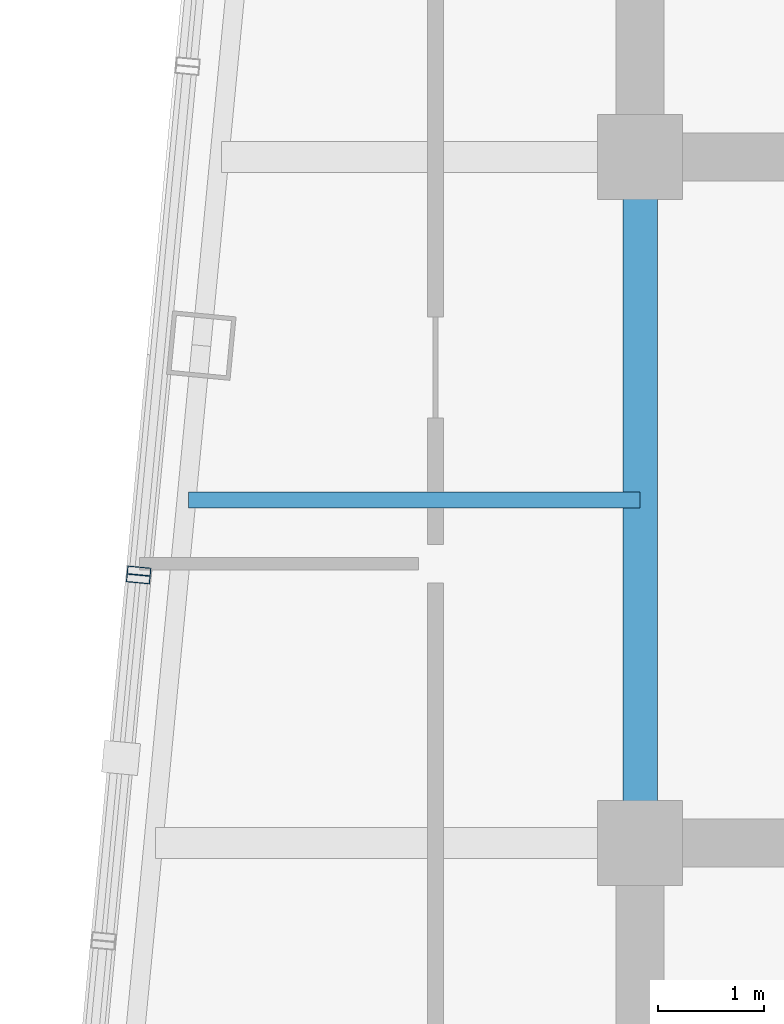
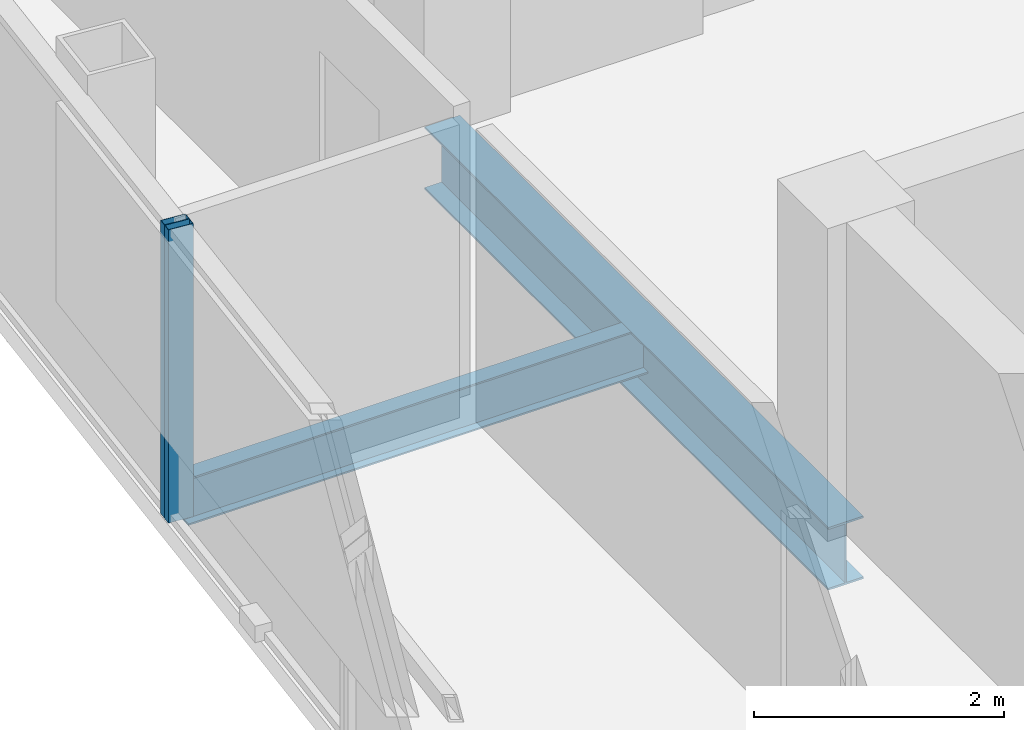
# One storey, part 9 of 27: 2 beams, 2 members, 2 elements without a shape of their own.
"""IFC4 building model written with IfcOpenShell, lengths in metres."""

from ifc_helpers import new_model, si_unit, direction, frame, origin, origin_2d, place, context, subcontext, project, spatial, hollow_rectangle, i_section, extrude, material, layer, layer_set, material_profile, profile_set, type_object, element, aggregate, save


model = new_model("IFC4")

# Units and contexts
model_context = context("Model", 3, precision=1e-05, world=origin(), true_north=direction((0.0, 1.0)))
body_context = subcontext(model_context, "Body", "Model", "MODEL_VIEW")
ifc_project = project(units=[si_unit("LENGTHUNIT", "METRE"), si_unit("AREAUNIT", "SQUARE_METRE"), si_unit("VOLUMEUNIT", "CUBIC_METRE"), si_unit("PLANEANGLEUNIT", "RADIAN"), si_unit("MASSUNIT", "GRAM", prefix="KILO")], contexts=[model_context])

# Site, building, storey
site_placement = place(None, origin())
site = spatial("IfcSite", under=ifc_project, at=site_placement, CompositionType="ELEMENT")
building_placement = place(site_placement, origin())
building = spatial("IfcBuilding", under=site, at=building_placement, Name="Qhalaya Broadcast Tower", CompositionType="ELEMENT")
storey_placement = place(building_placement, frame((0.0, 0.0, 258.10009765625)))
storey = spatial("IfcBuildingStorey", under=building, at=storey_placement, Name="L76", CompositionType="ELEMENT", Elevation=258.10009765625)

# Beams
ifc_material_1 = material(Name="Structural Steel ASTM A992 Grade 50", Category="steel")
ifc_material_profile_1 = material_profile(ifc_material_1, i_section(OverallWidth=0.154052734375, OverallDepth=0.458984375, WebThickness=0.009033203125, FlangeThickness=0.015380859375, at=origin_2d()), Name="W18X46")
ifc_profile_set_1 = profile_set([ifc_material_profile_1], Name="Structural Steel ASTM A992 Grade 50")
beam_type_1 = type_object("IfcBeamType", Name="Composite Floor Joist J04", PredefinedType="JOIST", material=ifc_profile_set_1)
beam_1_placement = place(storey_placement, frame((-13.622314453125, 0.60009765625, -0.419677734375), z_axis=(1.0, 0.0, 0.0), x_axis=(0.0, 1.0, 0.0)))
element("IfcBeam", 1, at=beam_1_placement, inside=storey, type_object=beam_type_1, Name="L76 J04 L76-JWE4W-1", PredefinedType="JOIST", context=body_context, shape_type="SweptSolid", body=[
    extrude(i_section(OverallWidth=0.154052734375, OverallDepth=0.458984375, WebThickness=0.009033203125, FlangeThickness=0.015380859375, at=origin_2d()), origin(), (0.0, 0.0, 1.0), 4.247314453125),
])
ifc_material_profile_2 = material_profile(ifc_material_1, i_section(OverallWidth=0.323974609375, OverallDepth=0.612060546875, WebThickness=0.0126953125, FlangeThickness=0.01904296875, at=origin_2d()), Name="W24X104")
ifc_profile_set_2 = profile_set([ifc_material_profile_2], Name="Structural Steel ASTM A992 Grade 50")
beam_type_2 = type_object("IfcBeamType", Name="Core Frame Tie Beam B04", PredefinedType="BEAM", material=ifc_profile_set_2)
beam_2_placement = place(storey_placement, frame((-9.375, -2.625, -0.49609375), z_axis=(0.0, 1.0, 0.0), x_axis=(-1.0, 0.0, 0.0)))
element("IfcBeam", 2, at=beam_2_placement, inside=storey, type_object=beam_type_2, Name="L76 B04 L76-CCW", PredefinedType="BEAM", context=body_context, shape_type="SweptSolid", body=[
    extrude(i_section(OverallWidth=0.323974609375, OverallDepth=0.612060546875, WebThickness=0.0126953125, FlangeThickness=0.01904296875, at=origin_2d()), origin(), (0.0, 0.0, 1.0), 6.449951171875),
])

# Curtain wall, member
ifc_material_2 = material(Name="Fired Architectural Terracotta", Category="masonry")
ifc_layer_1 = layer(ifc_material_2, 0.219970703125, Name="Fired Architectural Terracotta")
ifc_layer_set_1 = layer_set([ifc_layer_1], Name="Fired Architectural Terracotta")
curtain_wall_type_1 = type_object("IfcCurtainWallType", Name="Block-Cap Unitised Terracotta Spandrel Wall CW-07", PredefinedType="NOTDEFINED", material=ifc_layer_set_1)
curtain_wall_1_placement = place(storey_placement, origin())
curtain_wall_1 = element("IfcCurtainWall", 3, at=curtain_wall_1_placement, inside=storey, type_object=curtain_wall_type_1, Name="L76 Unitised Curtain Wall L76-CW-W3", PredefinedType="NOTDEFINED")
ifc_material_3 = material(Name="Anodised Aluminium 6063-T6", Category="aluminium")
ifc_material_profile_3 = material_profile(ifc_material_3, hollow_rectangle(XDim=0.074951171875, YDim=0.219970703125, WallThickness=0.00390625, at=origin_2d()), Name="ALU-MUL 75x220x4")
ifc_profile_set_3 = profile_set([ifc_material_profile_3], Name="Anodised Aluminium 6063-T6")
member_type = type_object("IfcMemberType", Name="Unitised Curtain-Wall Mullion M01", PredefinedType="MULLION", material=ifc_profile_set_3)
member_1_placement = place(storey_placement, frame((-14.08837890625, -0.06787109375, 0.0), z_axis=(0.0, 0.0, 1.0), x_axis=(-0.095862212639, -0.995394613301, 0.0)))
member_1 = element("IfcMember", 4, at=member_1_placement, type_object=member_type, Name="CW-07 mullion 2", PredefinedType="MULLION", context=body_context, shape_type="SweptSolid", body=[
    extrude(hollow_rectangle(XDim=0.074951171875, YDim=0.219970703125, WallThickness=0.00390625, at=origin_2d()), origin(), (0.0, 0.0, 1.0), 2.85986328125),
])
aggregate(curtain_wall_1, [member_1])

ifc_material_4 = material(Name="Solar-Control Low-E Triple Glazing", Category="glass")
ifc_layer_2 = layer(ifc_material_4, 0.219970703125, Name="Solar-Control Low-E Triple Glazing")
ifc_layer_set_2 = layer_set([ifc_layer_2], Name="Solar-Control Low-E Triple Glazing")
curtain_wall_type_2 = type_object("IfcCurtainWallType", Name="High-Altitude Upper-Shaft Triple Low-E Curtain Wall CW-04", PredefinedType="NOTDEFINED", material=ifc_layer_set_2)
curtain_wall_2_placement = place(storey_placement, origin())
curtain_wall_2 = element("IfcCurtainWall", 5, at=curtain_wall_2_placement, inside=storey, type_object=curtain_wall_type_2, Name="L76 Unitised Curtain Wall L76-CW-W4", PredefinedType="NOTDEFINED")
member_2_placement = place(storey_placement, frame((-14.095703125, -0.142578125, 0.0), z_axis=(0.0, 0.0, 1.0), x_axis=(-0.095835284901, -0.995397206229, 0.0)))
member_2 = element("IfcMember", 6, at=member_2_placement, type_object=member_type, Name="CW-04 mullion 1", PredefinedType="MULLION", context=body_context, shape_type="SweptSolid", body=[
    extrude(hollow_rectangle(XDim=0.074951171875, YDim=0.219970703125, WallThickness=0.00390625, at=origin_2d()), origin(), (0.0, 0.0, 1.0), 2.85986328125),
])
aggregate(curtain_wall_2, [member_2])

save(model, "model.ifc")
